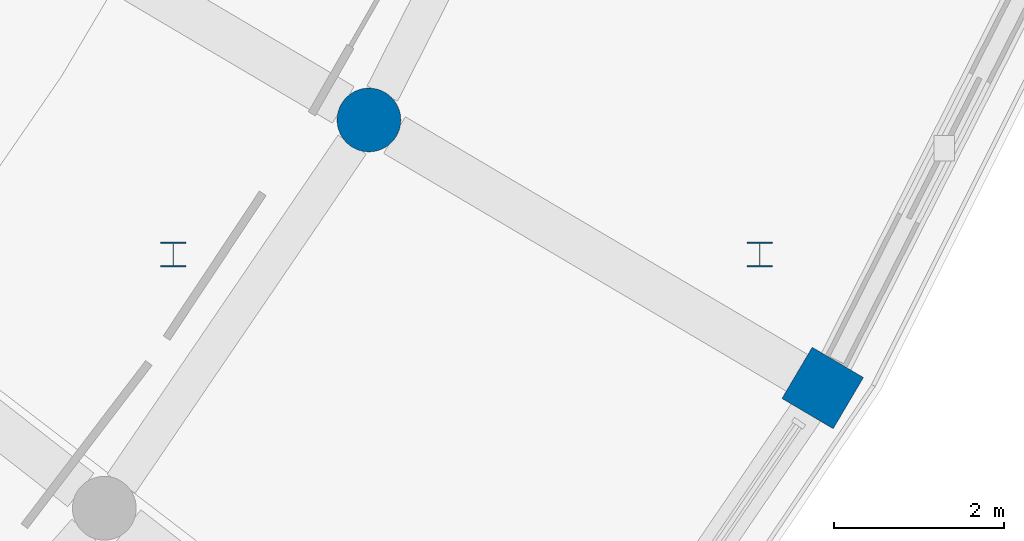
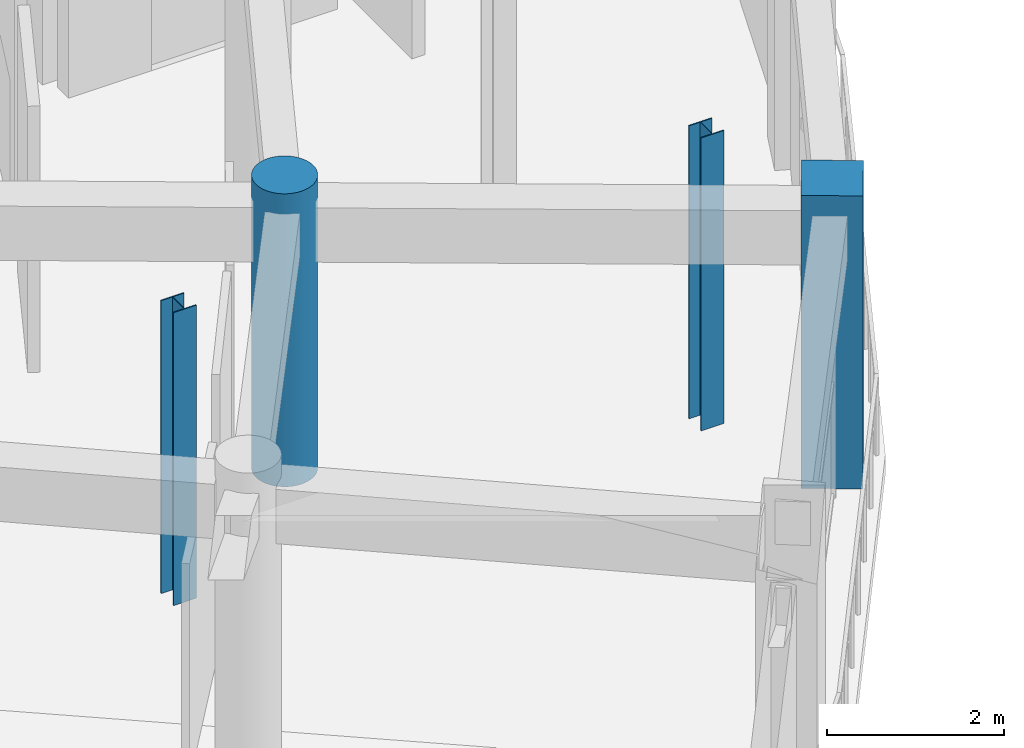
# One storey, part 2 of 87: 4 columns.
"""IFC4 building model written with IfcOpenShell, lengths in metres."""

from ifc_helpers import new_model, si_unit, direction, frame, origin, origin_2d, place, context, subcontext, project, spatial, rectangle, circle, i_section, extrude, material, material_profile, profile_set, type_object, element, save


model = new_model("IFC4")

# Units and contexts
model_context = context("Model", 3, precision=1e-05, world=origin(), true_north=direction((0.0, 1.0)))
body_context = subcontext(model_context, "Body", "Model", "MODEL_VIEW")
ifc_project = project(units=[si_unit("LENGTHUNIT", "METRE"), si_unit("AREAUNIT", "SQUARE_METRE"), si_unit("VOLUMEUNIT", "CUBIC_METRE"), si_unit("PLANEANGLEUNIT", "RADIAN"), si_unit("MASSUNIT", "GRAM", prefix="KILO")], contexts=[model_context])

# Site, building, storey
site_placement = place(None, origin())
site = spatial("IfcSite", under=ifc_project, at=site_placement, CompositionType="ELEMENT")
building_placement = place(site_placement, origin())
building = spatial("IfcBuilding", under=site, at=building_placement, Name="Saryqyr Civic Hall", CompositionType="ELEMENT")
storey_placement = place(building_placement, frame((0.0, 0.0, 5.10009765625)))
storey = spatial("IfcBuildingStorey", under=building, at=storey_placement, Name="L01", CompositionType="ELEMENT", Elevation=5.10009765625)

# Columns
ifc_material_1 = material(Name="Steel S355", Category="steel")
ifc_material_profile_1 = material_profile(ifc_material_1, i_section(OverallWidth=0.300048828125, OverallDepth=0.2900390625, WebThickness=0.008544921875, FlangeThickness=0.013916015625, at=origin_2d()), Name="HEA 300")
ifc_profile_set_1 = profile_set([ifc_material_profile_1], Name="Steel S355")
column_type_1 = type_object("IfcColumnType", Name="STR-COL-HEA300-S355", PredefinedType="COLUMN", material=ifc_profile_set_1)
for number, where, z_axis, x_axis, name in (
    (1, (91.550048828125, 60.64990234375, 0.0), (0.0, 0.0, 1.0), (1.0, 0.0, 0.0), "Column RGV5-COL-1-L01"),
    (2, (98.449951171875, 60.64990234375, 0.0), (0.0, 0.0, 1.0), (1.0, 0.0, 0.0), "Column RGV5-COL-2-L01"),
):
    element("IfcColumn", number, at=place(storey_placement, frame(where, z_axis=z_axis, x_axis=x_axis)), inside=storey, type_object=column_type_1, Name=name, PredefinedType="COLUMN", context=body_context, shape_type="SweptSolid", body=[
        extrude(i_section(OverallWidth=0.300048828125, OverallDepth=0.2900390625, WebThickness=0.008544921875, FlangeThickness=0.013916015625, at=origin_2d()), origin(), (0.0, 0.0, 1.0), 4.0498046875),
    ])
ifc_material_2 = material(Name="Concrete C40/50", Category="concrete")
ifc_material_profile_2 = material_profile(ifc_material_2, rectangle(XDim=0.699951171875, YDim=0.699951171875, at=origin_2d()), Name="RC 700x700")
ifc_profile_set_2 = profile_set([ifc_material_profile_2], Name="Concrete C40/50")
column_type_2 = type_object("IfcColumnType", Name="STR-COL-RC700-C40", PredefinedType="COLUMN", material=ifc_profile_set_2)
column_1_placement = place(storey_placement, frame((99.189453125, 59.0791015625, 0.0), z_axis=(0.0, 0.0, 1.0), x_axis=(0.861008442465, -0.508590662521, 0.0)))
element("IfcColumn", 3, at=column_1_placement, inside=storey, type_object=column_type_2, Name="Column V5-COL-OUT06-L01", PredefinedType="COLUMN", context=body_context, shape_type="SweptSolid", body=[
    extrude(rectangle(XDim=0.699951171875, YDim=0.699951171875, at=origin_2d()), origin(), (0.0, 0.0, 1.0), 4.0498046875),
])
ifc_material_profile_3 = material_profile(ifc_material_2, circle(Radius=0.375, at=origin_2d()), Name="RC D750")
ifc_profile_set_3 = profile_set([ifc_material_profile_3], Name="Concrete C40/50")
column_type_3 = type_object("IfcColumnType", Name="STR-COL-RCD750-INT", PredefinedType="COLUMN", material=ifc_profile_set_3)
column_2_placement = place(storey_placement, frame((93.851318359375, 62.232421875, 0.0), z_axis=(0.0, 0.0, 1.0), x_axis=(0.861008442465, -0.508590662521, 0.0)))
element("IfcColumn", 4, at=column_2_placement, inside=storey, type_object=column_type_3, Name="Column V5-COL-MID06-L01", PredefinedType="COLUMN", context=body_context, shape_type="SweptSolid", body=[
    extrude(circle(Radius=0.375, at=origin_2d()), origin(), (0.0, 0.0, 1.0), 4.0498046875),
])

save(model, "model.ifc")
